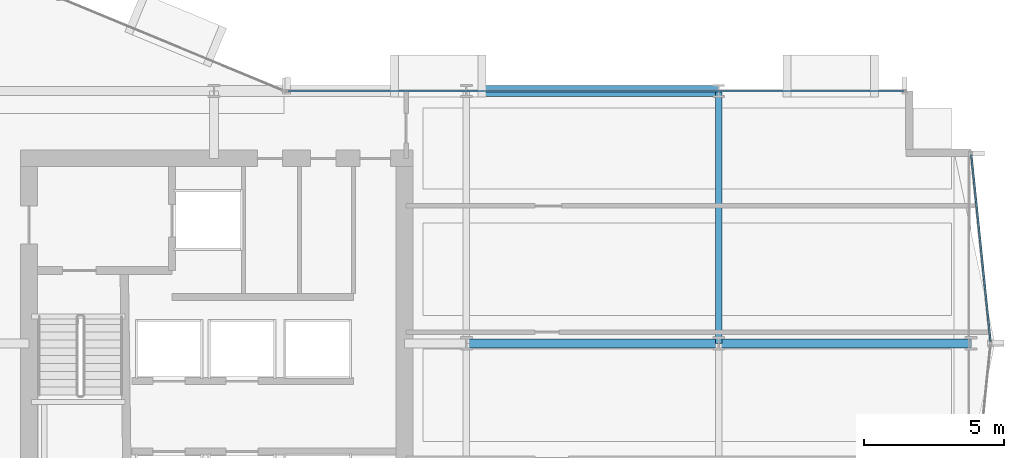
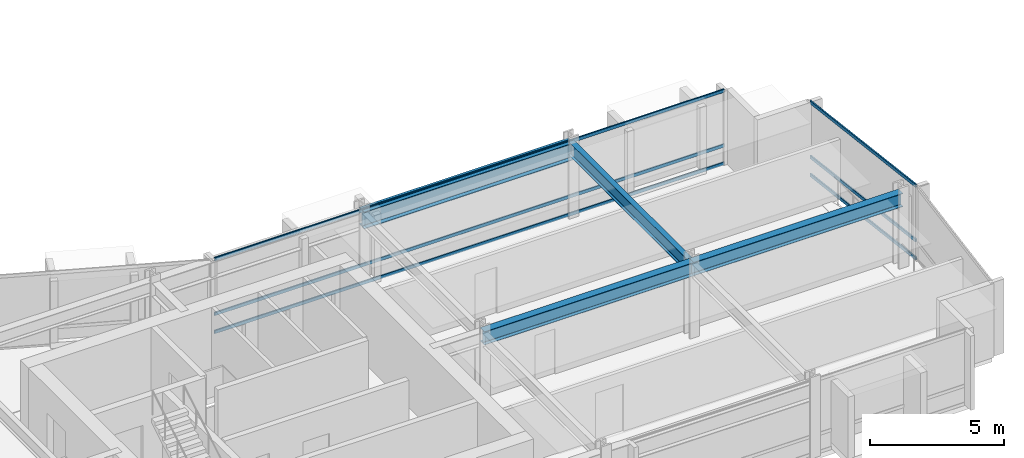
# One storey, part 17 of 35: 6 members, 4 beams, 2 elements without a shape of their own.
"""IFC4 building model written with IfcOpenShell, lengths in metres."""

from ifc_helpers import new_model, si_unit, direction, frame, origin, origin_2d, place, context, subcontext, project, spatial, hollow_rectangle, i_section, extrude, material, layer, layer_set, material_profile, profile_set, type_object, element, aggregate, save


model = new_model("IFC4")

# Units and contexts
model_context = context("Model", 3, precision=1e-05, world=origin(), true_north=direction((0.0, 1.0)))
body_context = subcontext(model_context, "Body", "Model", "MODEL_VIEW")
ifc_project = project(units=[si_unit("LENGTHUNIT", "METRE"), si_unit("AREAUNIT", "SQUARE_METRE"), si_unit("VOLUMEUNIT", "CUBIC_METRE"), si_unit("PLANEANGLEUNIT", "RADIAN"), si_unit("MASSUNIT", "GRAM", prefix="KILO")], contexts=[model_context])

# Site, building, storey
site_placement = place(None, origin())
site = spatial("IfcSite", under=ifc_project, at=site_placement, CompositionType="ELEMENT")
building_placement = place(site_placement, origin())
building = spatial("IfcBuilding", under=site, at=building_placement, Name="Solvaryn Broadcast Tower", CompositionType="ELEMENT")
storey_placement = place(building_placement, frame((0.0, 0.0, 80.39990234375)))
storey = spatial("IfcBuildingStorey", under=building, at=storey_placement, Name="L19", CompositionType="ELEMENT", Elevation=80.39990234375)

# Beams
ifc_material_1 = material(Name="Steel ASTM A992 Grade 50", Category="steel")
ifc_material_profile_1 = material_profile(ifc_material_1, i_section(OverallWidth=0.323974609375, OverallDepth=0.611083984375, WebThickness=0.0126953125, FlangeThickness=0.01904296875, FilletRadius=0.014892578125, at=origin_2d()))
ifc_profile_set_1 = profile_set([ifc_material_profile_1], Name="Steel ASTM A992 Grade 50")
beam_type_1 = type_object("IfcBeamType", Name="BM-B1-W24X104", PredefinedType="BEAM", material=ifc_profile_set_1)
for number, where, z_axis, x_axis, name in (
    (1, (45.0, 18.0, 3.064697265625), (1.0, 0.0, 0.0), (0.0, 1.0, 0.0), "L19 Primary Beam X (45-54 @ Y=18)"),
    (2, (54.0, 18.0, 3.064697265625), (1.0, 0.0, 0.0), (0.0, 1.0, 0.0), "L19 Primary Beam X (54-63 @ Y=18)"),
):
    element("IfcBeam", number, at=place(storey_placement, frame(where, z_axis=z_axis, x_axis=x_axis)), inside=storey, type_object=beam_type_1, Name=name, PredefinedType="BEAM", context=body_context, shape_type="SweptSolid", body=[
        extrude(i_section(OverallWidth=0.323974609375, OverallDepth=0.611083984375, WebThickness=0.0126953125, FlangeThickness=0.01904296875, FilletRadius=0.014892578125, at=origin_2d()), origin(), (0.0, 0.0, 1.0), 9.0),
    ])
ifc_material_2 = material(Name="Steel ASTM A992 Grade 50", Category="steel")
ifc_material_profile_2 = material_profile(ifc_material_2, i_section(OverallWidth=0.22802734375, OverallDepth=0.60791015625, WebThickness=0.01123046875, FlangeThickness=0.017333984375, FilletRadius=0.014892578125, at=origin_2d()))
ifc_profile_set_2 = profile_set([ifc_material_profile_2], Name="Steel ASTM A992 Grade 50")
beam_type_2 = type_object("IfcBeamType", Name="BM-B2-W24X76", PredefinedType="BEAM", material=ifc_profile_set_2)
beam_1_placement = place(storey_placement, frame((54.0, 18.0, 3.066162109375), z_axis=(0.0, 1.0, 0.0), x_axis=(-1.0, 0.0, 0.0)))
element("IfcBeam", 3, at=beam_1_placement, inside=storey, type_object=beam_type_2, Name="L19 Primary Beam Y (18-27 @ X=54)", PredefinedType="BEAM", context=body_context, shape_type="SweptSolid", body=[
    extrude(i_section(OverallWidth=0.22802734375, OverallDepth=0.60791015625, WebThickness=0.01123046875, FlangeThickness=0.017333984375, FilletRadius=0.014892578125, at=origin_2d()), origin(), (0.0, 0.0, 1.0), 9.0),
])
ifc_material_3 = material(Name="Steel ASTM A992 Grade 50", Category="steel")
ifc_material_profile_3 = material_profile(ifc_material_3, i_section(OverallWidth=0.381103515625, OverallDepth=0.77294921875, WebThickness=0.0166015625, FlangeThickness=0.027099609375, FilletRadius=0.01806640625, at=origin_2d()))
ifc_profile_set_3 = profile_set([ifc_material_profile_3], Name="Steel ASTM A992 Grade 50")
beam_type_3 = type_object("IfcBeamType", Name="BM-SP1-W30X173", PredefinedType="USERDEFINED", material=ifc_profile_set_3)
beam_2_placement = place(storey_placement, frame((45.0, 27.0, 2.983642578125), z_axis=(1.0, 0.0, 0.0), x_axis=(0.0, 1.0, 0.0)))
element("IfcBeam", 4, at=beam_2_placement, inside=storey, type_object=beam_type_3, Name="L19 Spandrel Beam X (45-54 @ Y=27)", ObjectType="SPANDREL", PredefinedType="USERDEFINED", context=body_context, shape_type="SweptSolid", body=[
    extrude(i_section(OverallWidth=0.381103515625, OverallDepth=0.77294921875, WebThickness=0.0166015625, FlangeThickness=0.027099609375, FilletRadius=0.01806640625, at=origin_2d()), origin(), (0.0, 0.0, 1.0), 9.0),
])

# Curtain wall, members
ifc_material_4 = material(Name="Aluminium and Terracotta Unitised Curtain Wall", Category="masonry")
ifc_layer = layer(ifc_material_4, 0.199951171875)
ifc_layer_set = layer_set([ifc_layer], Name="CW-SYS2-LOWMID")
curtain_wall_type = type_object("IfcCurtainWallType", Name="CW-SYS2-LOWMID", PredefinedType="NOTDEFINED", material=ifc_layer_set)
curtain_wall_1_placement = place(storey_placement, origin())
curtain_wall_1 = element("IfcCurtainWall", 5, at=curtain_wall_1_placement, inside=storey, type_object=curtain_wall_type, Name="L19 Curtain Wall ET1", PredefinedType="NOTDEFINED")
ifc_material_5 = material(Name="Anodised Aluminium 6063-T6", Category="aluminium")
ifc_material_profile_4 = material_profile(ifc_material_5, hollow_rectangle(XDim=0.06494140625, YDim=0.14990234375, WallThickness=0.00390625, InnerFilletRadius=0.00390625, OuterFilletRadius=0.008056640625, at=origin_2d()))
ifc_profile_set_4 = profile_set([ifc_material_profile_4], Name="Anodised Aluminium 6063-T6")
member_type = type_object("IfcMemberType", Name="CW-TRN-150", PredefinedType="USERDEFINED", material=ifc_profile_set_4)
member_1_placement = place(storey_placement, frame((63.006103515625, 24.740234375, 0.030029296875), z_axis=(0.102404277363, -0.994742863245, 0.0), x_axis=(0.994742863245, 0.102404277363, 0.0)))
member_1 = element("IfcMember", 6, at=member_1_placement, type_object=member_type, Name="CWS2 transom 1.1", ObjectType="TRANSOM", PredefinedType="USERDEFINED", context=body_context, shape_type="SweptSolid", body=[
    extrude(hollow_rectangle(XDim=0.06494140625, YDim=0.14990234375, WallThickness=0.00390625, InnerFilletRadius=0.00390625, OuterFilletRadius=0.008056640625, at=origin_2d()), origin(), (0.0, 0.0, 1.0), 6.716064453125),
])
member_2_placement = place(storey_placement, frame((63.006103515625, 24.740234375, 0.85009765625), z_axis=(0.102404277363, -0.994742863245, 0.0), x_axis=(0.994742863245, 0.102404277363, 0.0)))
member_2 = element("IfcMember", 7, at=member_2_placement, type_object=member_type, Name="CWS2 transom 1.2", ObjectType="TRANSOM", PredefinedType="USERDEFINED", context=body_context, shape_type="SweptSolid", body=[
    extrude(hollow_rectangle(XDim=0.06494140625, YDim=0.14990234375, WallThickness=0.00390625, InnerFilletRadius=0.00390625, OuterFilletRadius=0.008056640625, at=origin_2d()), origin(), (0.0, 0.0, 1.0), 6.716064453125),
])
member_3_placement = place(storey_placement, frame((63.006103515625, 24.740234375, 3.340087890625), z_axis=(0.102404277363, -0.994742863245, 0.0), x_axis=(0.994742863245, 0.102404277363, 0.0)))
member_3 = element("IfcMember", 8, at=member_3_placement, type_object=member_type, Name="CWS2 transom 1.3", ObjectType="TRANSOM", PredefinedType="USERDEFINED", context=body_context, shape_type="SweptSolid", body=[
    extrude(hollow_rectangle(XDim=0.06494140625, YDim=0.14990234375, WallThickness=0.00390625, InnerFilletRadius=0.00390625, OuterFilletRadius=0.008056640625, at=origin_2d()), origin(), (0.0, 0.0, 1.0), 6.716064453125),
])
aggregate(curtain_wall_1, [member_1, member_2, member_3])

curtain_wall_2_placement = place(storey_placement, origin())
curtain_wall_2 = element("IfcCurtainWall", 9, at=curtain_wall_2_placement, inside=storey, type_object=curtain_wall_type, Name="L19 Curtain Wall IH", PredefinedType="NOTDEFINED")
member_4_placement = place(storey_placement, frame((38.659912109375, 27.0, 0.030029296875), z_axis=(1.0, 0.0, 0.0), x_axis=(0.0, 1.0, 0.0)))
member_4 = element("IfcMember", 10, at=member_4_placement, type_object=member_type, Name="CWS2 transom 1.1", ObjectType="TRANSOM", PredefinedType="USERDEFINED", context=body_context, shape_type="SweptSolid", body=[
    extrude(hollow_rectangle(XDim=0.06494140625, YDim=0.14990234375, WallThickness=0.00390625, InnerFilletRadius=0.00390625, OuterFilletRadius=0.008056640625, at=origin_2d()), origin(), (0.0, 0.0, 1.0), 21.93017578125),
])
member_5_placement = place(storey_placement, frame((38.659912109375, 27.0, 0.85009765625), z_axis=(1.0, 0.0, 0.0), x_axis=(0.0, 1.0, 0.0)))
member_5 = element("IfcMember", 11, at=member_5_placement, type_object=member_type, Name="CWS2 transom 1.2", ObjectType="TRANSOM", PredefinedType="USERDEFINED", context=body_context, shape_type="SweptSolid", body=[
    extrude(hollow_rectangle(XDim=0.06494140625, YDim=0.14990234375, WallThickness=0.00390625, InnerFilletRadius=0.00390625, OuterFilletRadius=0.008056640625, at=origin_2d()), origin(), (0.0, 0.0, 1.0), 21.93017578125),
])
member_6_placement = place(storey_placement, frame((38.659912109375, 27.0, 3.340087890625), z_axis=(1.0, 0.0, 0.0), x_axis=(0.0, 1.0, 0.0)))
member_6 = element("IfcMember", 12, at=member_6_placement, type_object=member_type, Name="CWS2 transom 1.3", ObjectType="TRANSOM", PredefinedType="USERDEFINED", context=body_context, shape_type="SweptSolid", body=[
    extrude(hollow_rectangle(XDim=0.06494140625, YDim=0.14990234375, WallThickness=0.00390625, InnerFilletRadius=0.00390625, OuterFilletRadius=0.008056640625, at=origin_2d()), origin(), (0.0, 0.0, 1.0), 21.93017578125),
])
aggregate(curtain_wall_2, [member_4, member_5, member_6])

save(model, "model.ifc")
